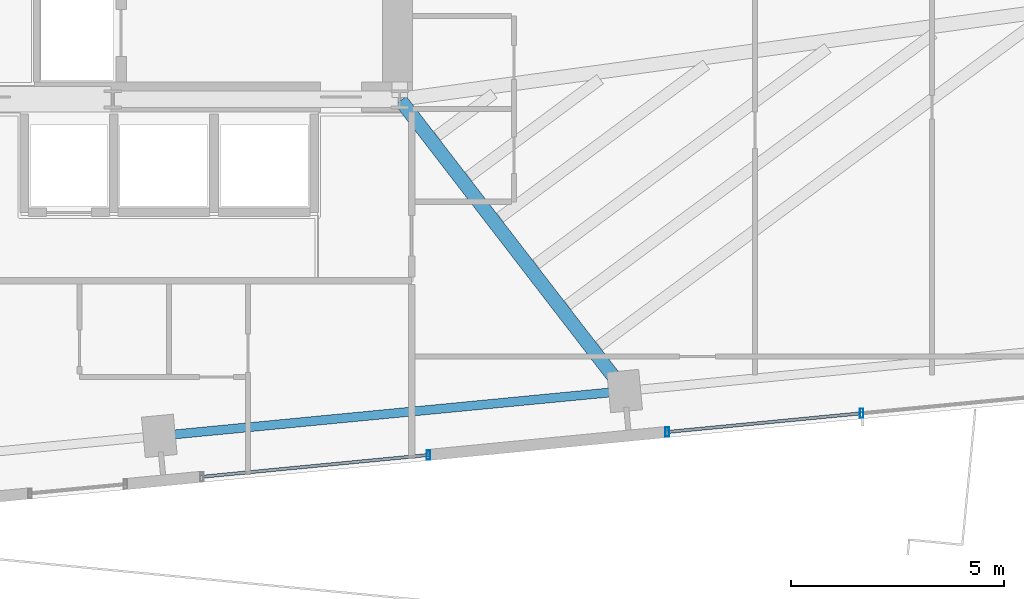
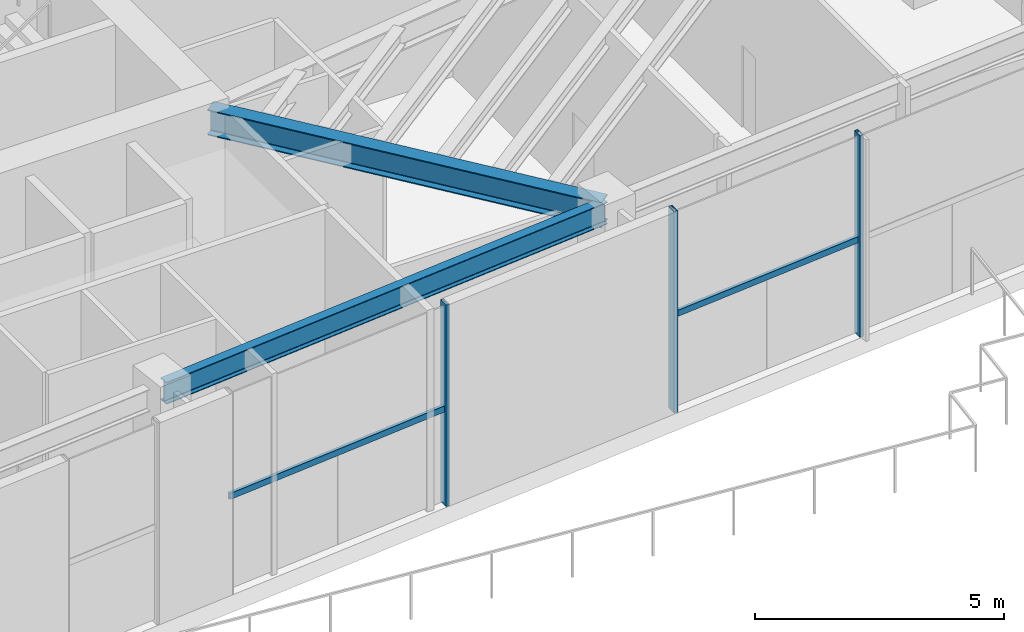
# One storey, part 8 of 21: 5 members, 2 beams, 2 elements without a shape of their own.
"""IFC4 building model written with IfcOpenShell, lengths in metres."""

from ifc_helpers import new_model, si_unit, direction, frame, origin, origin_2d, place, context, subcontext, project, spatial, hollow_rectangle, i_section, extrude, source, transform, mapped, material, material_profile, profile_set, type_object, type_shapes, element, aggregate, save


model = new_model("IFC4")

# Units and contexts
model_context = context("Model", 3, precision=1e-05, world=origin(), true_north=direction((0.0, 1.0)))
body_context = subcontext(model_context, "Body", "Model", "MODEL_VIEW")
ifc_project = project(units=[si_unit("LENGTHUNIT", "METRE"), si_unit("AREAUNIT", "SQUARE_METRE"), si_unit("VOLUMEUNIT", "CUBIC_METRE"), si_unit("PLANEANGLEUNIT", "RADIAN"), si_unit("MASSUNIT", "GRAM", prefix="KILO")], contexts=[model_context])

# Site, building, storey
site_placement = place(None, origin())
site = spatial("IfcSite", under=ifc_project, at=site_placement, CompositionType="ELEMENT")
building_placement = place(site_placement, origin())
building = spatial("IfcBuilding", under=site, at=building_placement, Name="Astriad Promenade Condominiums", CompositionType="ELEMENT")
storey_placement = place(building_placement, frame((0.0, 0.0, 167.800048828125)))
storey = spatial("IfcBuildingStorey", under=building, at=storey_placement, Name="L48", CompositionType="ELEMENT", Elevation=167.800048828125)

# Beams
ifc_material_1 = material(Name="Steel ASTM A992 Grade 50", Category="steel")
ifc_material_profile_1 = material_profile(ifc_material_1, i_section(OverallWidth=0.210693359375, OverallDepth=0.53955078125, WebThickness=0.01171875, FlangeThickness=0.018798828125, FilletRadius=0.0166015625, at=origin_2d()), Name="W21X73")
ifc_profile_set_1 = profile_set([ifc_material_profile_1], Name="Steel ASTM A992 Grade 50")
beam_type_1 = type_object("IfcBeamType", Name="STEEL SPANDREL BEAM W21X73", PredefinedType="SPANDREL", material=ifc_profile_set_1)
shared_shape_1 = source(origin(), body_context, "Body", "SweptSolid", [
    extrude(i_section(OverallWidth=0.210693359375, OverallDepth=0.53955078125, WebThickness=0.01171875, FlangeThickness=0.018798828125, FilletRadius=0.0166015625, at=origin_2d()), origin(), (0.0, 0.0, 1.0), 10.8701171875),
])
type_shapes(beam_type_1, [shared_shape_1])
beam_1_placement = place(storey_placement, frame((40.008544921875, 9.520751953125, 4.670166015625), z_axis=(0.995397128983, 0.095836087217, 0.0), x_axis=(-0.095836087217, 0.995397128983, 0.0)))
element("IfcBeam", 1, at=beam_1_placement, inside=storey, type_object=beam_type_1, Name="Perimeter Spandrel Beam SP-S3-L48", PredefinedType="SPANDREL", context=body_context, shape_type="MappedRepresentation", body=[
    mapped(shared_shape_1, transform((0.0, 0.0, 0.0), scale=1.0)),
])
ifc_material_profile_2 = material_profile(ifc_material_1, i_section(OverallWidth=0.326416015625, OverallDepth=0.621826171875, WebThickness=0.015380859375, FlangeThickness=0.0244140625, FilletRadius=0.017822265625, at=origin_2d()), Name="W24X131")
ifc_profile_set_2 = profile_set([ifc_material_profile_2], Name="Steel ASTM A992 Grade 50")
beam_type_2 = type_object("IfcBeamType", Name="STEEL FLOOR GIRDER W24X131", PredefinedType="BEAM", material=ifc_profile_set_2)
shared_shape_2 = source(origin(), body_context, "Body", "SweptSolid", [
    extrude(i_section(OverallWidth=0.326416015625, OverallDepth=0.621826171875, WebThickness=0.015380859375, FlangeThickness=0.0244140625, FilletRadius=0.017822265625, at=origin_2d()), origin(), (0.0, 0.0, 1.0), 8.548583984375),
])
type_shapes(beam_type_2, [shared_shape_2])
beam_2_placement = place(storey_placement, frame((50.843994140625, 10.59814453125, 4.629150390625), z_axis=(-0.610561975536, 0.791968480452, 0.0), x_axis=(-0.791968480452, -0.610561975536, 0.0)))
element("IfcBeam", 2, at=beam_2_placement, inside=storey, type_object=beam_type_2, Name="Primary Floor Girder PG-E2-L48", PredefinedType="BEAM", context=body_context, shape_type="MappedRepresentation", body=[
    mapped(shared_shape_2, transform((0.0, 0.0, 0.0), scale=1.0)),
])

# Curtain wall, members
ifc_material_2 = material(Name="Anodised aluminium Black Dark Glass Unitised", Category="aluminium")
curtain_wall_type = type_object("IfcCurtainWallType", Name="CW-B34-DARK", PredefinedType="USERDEFINED", material=ifc_material_2)
curtain_wall_1_placement = place(storey_placement, origin())
curtain_wall_1 = element("IfcCurtainWall", 3, at=curtain_wall_1_placement, inside=storey, type_object=curtain_wall_type, Name="CW-L48-S-1", ObjectType="UNITISED_CURTAIN_WALL", PredefinedType="USERDEFINED")
ifc_material_3 = material(Name="Anodised aluminium 6063-T6 Black", Category="aluminium")
ifc_material_profile_3 = material_profile(ifc_material_3, hollow_rectangle(XDim=0.0849609375, YDim=0.219970703125, WallThickness=0.0048828125, at=origin_2d()), Name="ALU-MUL-85X220")
ifc_profile_set_3 = profile_set([ifc_material_profile_3], Name="Anodised aluminium 6063-T6 Black")
member_type_1 = type_object("IfcMemberType", Name="MUL-ALU-MUL-85X220", PredefinedType="MULLION", material=ifc_profile_set_3)
shared_shape_3 = source(origin(), body_context, "Body", "SweptSolid", [
    extrude(hollow_rectangle(XDim=0.0849609375, YDim=0.219970703125, WallThickness=0.0048828125, at=origin_2d()), origin(), (0.0, 0.0, 1.0), 4.93994140625),
])
type_shapes(member_type_1, [shared_shape_3])
member_1_placement = place(storey_placement, frame((56.418701171875, 10.0458984375, 0.0), z_axis=(0.0, 0.0, 1.0), x_axis=(1.0, 0.0, 0.0)))
member_1 = element("IfcMember", 4, at=member_1_placement, type_object=member_type_1, Name="CW-L48-S-1-MUL-01", PredefinedType="MULLION", context=body_context, shape_type="MappedRepresentation", body=[
    mapped(shared_shape_3, transform((0.0, 0.0, 0.0), scale=1.0)),
])
member_2_placement = place(storey_placement, frame((51.86474609375, 9.607421875, 0.0), z_axis=(0.0, 0.0, 1.0), x_axis=(1.0, 0.0, 0.0)))
member_2 = element("IfcMember", 5, at=member_2_placement, type_object=member_type_1, Name="CW-L48-S-1-MUL-02", PredefinedType="MULLION", context=body_context, shape_type="MappedRepresentation", body=[
    mapped(shared_shape_3, transform((0.0, 0.0, 0.0), scale=1.0)),
])

# Curtain wall, member
curtain_wall_2_placement = place(storey_placement, origin())
curtain_wall_2 = element("IfcCurtainWall", 6, at=curtain_wall_2_placement, inside=storey, type_object=curtain_wall_type, Name="CW-L48-S-2", ObjectType="UNITISED_CURTAIN_WALL", PredefinedType="USERDEFINED")
member_3_placement = place(storey_placement, frame((46.2705078125, 9.06884765625, 0.0), z_axis=(0.0, 0.0, 1.0), x_axis=(1.0, 0.0, 0.0)))
member_3 = element("IfcMember", 7, at=member_3_placement, type_object=member_type_1, Name="CW-L48-S-2-MUL-00", PredefinedType="MULLION", context=body_context, shape_type="MappedRepresentation", body=[
    mapped(shared_shape_3, transform((0.0, 0.0, 0.0), scale=1.0)),
])

# Member
ifc_material_profile_4 = material_profile(ifc_material_3, hollow_rectangle(XDim=0.074951171875, YDim=0.14990234375, WallThickness=0.004150390625, at=origin_2d()), Name="ALU-TRN-75X150")
ifc_profile_set_4 = profile_set([ifc_material_profile_4], Name="Anodised aluminium 6063-T6 Black")
member_type_2 = type_object("IfcMemberType", Name="TRN-ALU-TRN-75X150", PredefinedType="USERDEFINED", material=ifc_profile_set_4)
shared_shape_4 = source(origin(), body_context, "Body", "SweptSolid", [
    extrude(hollow_rectangle(XDim=0.074951171875, YDim=0.14990234375, WallThickness=0.004150390625, at=origin_2d()), origin(), (0.0, 0.0, 1.0), 4.574951171875),
])
member_4_placement = place(storey_placement, frame((56.418701171875, 10.0458984375, 2.349853515625), z_axis=(-0.995396603696, -0.095841542928, 0.0), x_axis=(0.095841542928, -0.995396603696, 0.0)))
member_4 = element("IfcMember", 8, at=member_4_placement, type_object=member_type_2, Name="CW-L48-S-1-TRN-01-0", ObjectType="TRANSOM", PredefinedType="USERDEFINED", context=body_context, shape_type="MappedRepresentation", body=[
    mapped(shared_shape_4, transform((0.0, 0.0, 0.0), scale=1.0)),
])

aggregate(curtain_wall_1, [member_1, member_2, member_4])

shared_shape_5 = source(origin(), body_context, "Body", "SweptSolid", [
    extrude(hollow_rectangle(XDim=0.074951171875, YDim=0.14990234375, WallThickness=0.004150390625, at=origin_2d()), origin(), (0.0, 0.0, 1.0), 5.329833984375),
])
type_shapes(member_type_2, [shared_shape_4, shared_shape_5])
member_5_placement = place(storey_placement, frame((46.2705078125, 9.06884765625, 2.349853515625), z_axis=(-0.995398196601, -0.095824997804, 0.0), x_axis=(0.095824997804, -0.995398196601, 0.0)))
member_5 = element("IfcMember", 9, at=member_5_placement, type_object=member_type_2, Name="CW-L48-S-2-TRN-00-0", ObjectType="TRANSOM", PredefinedType="USERDEFINED", context=body_context, shape_type="MappedRepresentation", body=[
    mapped(shared_shape_5, transform((0.0, 0.0, 0.0), scale=1.0)),
])

aggregate(curtain_wall_2, [member_3, member_5])

save(model, "model.ifc")
